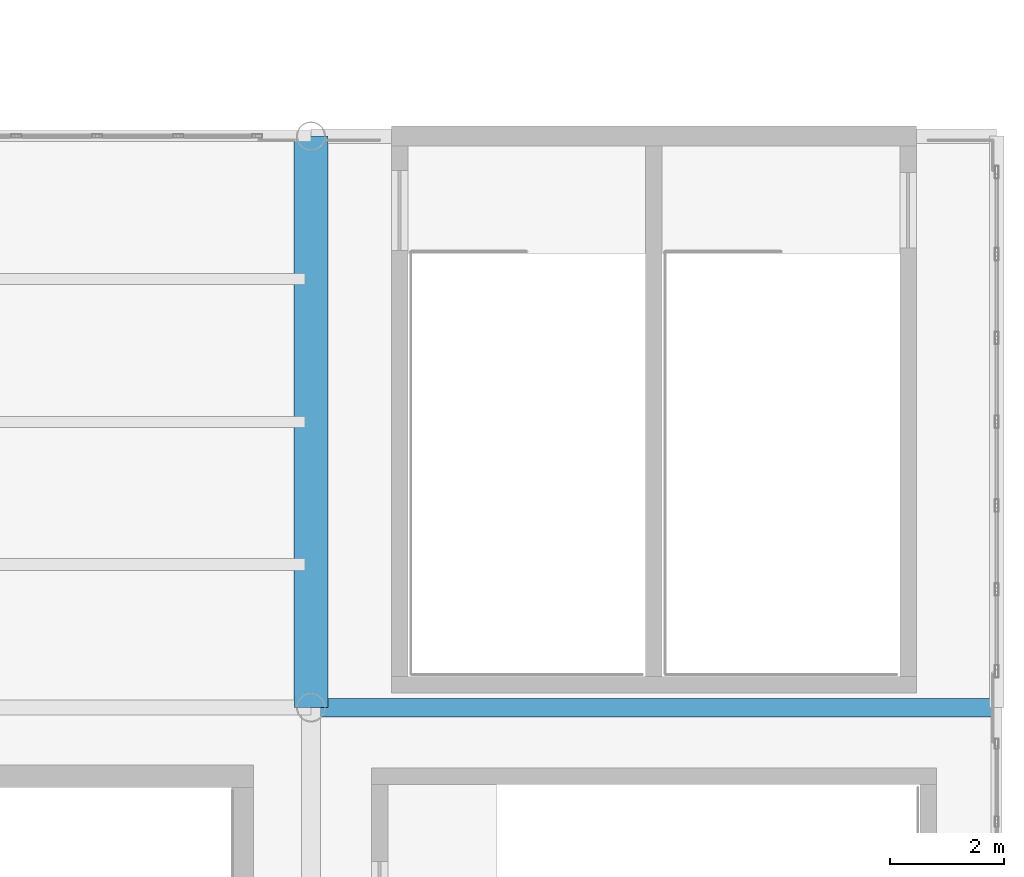
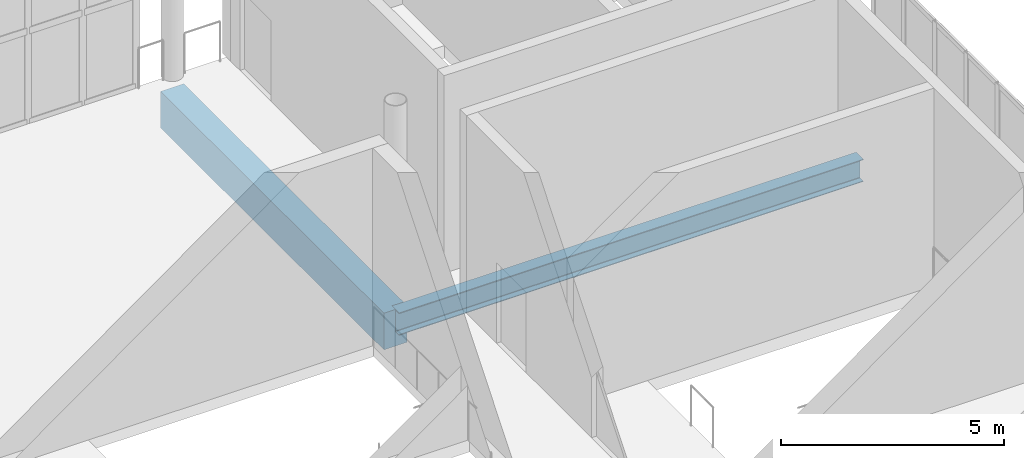
# One storey, part 39 of 74: 2 beams.
"""IFC4 building model written with IfcOpenShell, lengths in metres."""

from ifc_helpers import new_model, si_unit, direction, frame, origin, origin_2d, place, context, subcontext, project, spatial, rectangle, i_section, extrude, material, material_profile, profile_set, type_object, element, save


model = new_model("IFC4")

# Units and contexts
model_context = context("Model", 3, precision=1e-05, world=origin(), true_north=direction((0.0, 1.0)))
body_context = subcontext(model_context, "Body", "Model", "MODEL_VIEW")
ifc_project = project(units=[si_unit("LENGTHUNIT", "METRE"), si_unit("AREAUNIT", "SQUARE_METRE"), si_unit("VOLUMEUNIT", "CUBIC_METRE"), si_unit("PLANEANGLEUNIT", "RADIAN"), si_unit("MASSUNIT", "GRAM", prefix="KILO")], contexts=[model_context])

# Site, building, storey
site_placement = place(None, origin())
site = spatial("IfcSite", under=ifc_project, at=site_placement, CompositionType="ELEMENT")
building_placement = place(site_placement, origin())
building = spatial("IfcBuilding", under=site, at=building_placement, Name="Brinegate Civic Arena", CompositionType="ELEMENT")
storey_placement = place(building_placement, frame((0.0, 0.0, 19.199951171875)))
storey = spatial("IfcBuildingStorey", under=building, at=storey_placement, Name="L04", CompositionType="ELEMENT", Elevation=19.199951171875)

# Beams
ifc_material_1 = material(Name="Steel S355", Category="steel")
ifc_material_profile_1 = material_profile(ifc_material_1, i_section(OverallWidth=0.323974609375, OverallDepth=0.611083984375, WebThickness=0.012939453125, FlangeThickness=0.01904296875, FilletRadius=0.01611328125, at=origin_2d()), Name="W610X155")
ifc_profile_set_1 = profile_set([ifc_material_profile_1], Name="Steel S355")
beam_type_1 = type_object("IfcBeamType", Name="GIRDER-W610X155", PredefinedType="BEAM", material=ifc_profile_set_1)
beam_1_placement = place(storey_placement, frame((156.0, 104.0, -0.64501953125), z_axis=(1.0, 0.0, 0.0), x_axis=(0.0, 1.0, 0.0)))
element("IfcBeam", 1, at=beam_1_placement, inside=storey, type_object=beam_type_1, Name="Floor Girder BM-L04-GX-13-10", PredefinedType="BEAM", context=body_context, shape_type="SweptSolid", body=[
    extrude(i_section(OverallWidth=0.323974609375, OverallDepth=0.611083984375, WebThickness=0.012939453125, FlangeThickness=0.01904296875, FilletRadius=0.01611328125, at=origin_2d()), origin(), (0.0, 0.0, 1.0), 12.0),
])
ifc_material_2 = material(Name="Concrete C50/60", Category="concrete")
ifc_material_profile_2 = material_profile(ifc_material_2, rectangle(XDim=0.60009765625, YDim=1.0, at=origin_2d()), Name="RCB600X1000")
ifc_profile_set_2 = profile_set([ifc_material_profile_2], Name="Concrete C50/60")
beam_type_2 = type_object("IfcBeamType", Name="RCG-600X1000", PredefinedType="BEAM", material=ifc_profile_set_2)
beam_2_placement = place(storey_placement, frame((156.0, 104.0, -0.83984375), z_axis=(0.0, 1.0, 0.0), x_axis=(-1.0, 0.0, 0.0)))
element("IfcBeam", 2, at=beam_2_placement, inside=storey, type_object=beam_type_2, Name="Floor Girder BM-L04-GY-13-10", PredefinedType="BEAM", context=body_context, shape_type="SweptSolid", body=[
    extrude(rectangle(XDim=0.60009765625, YDim=1.0, at=origin_2d()), origin(), (0.0, 0.0, 1.0), 10.0),
])

save(model, "model.ifc")
